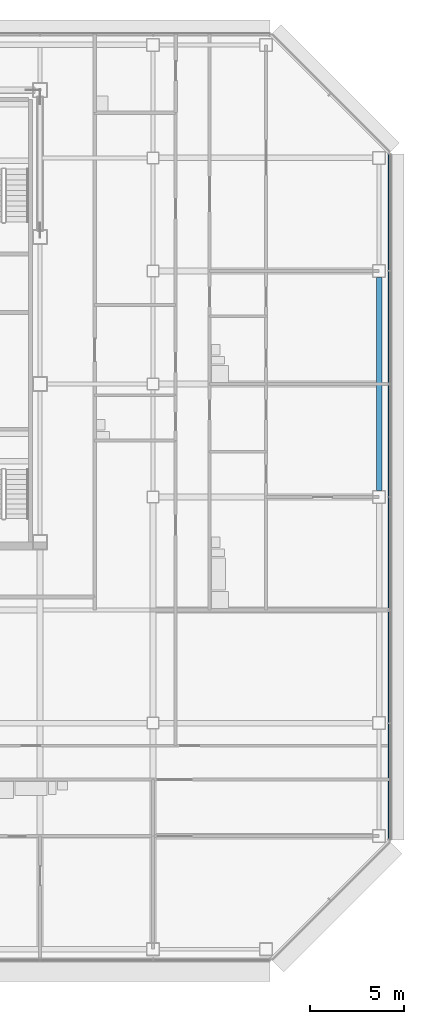
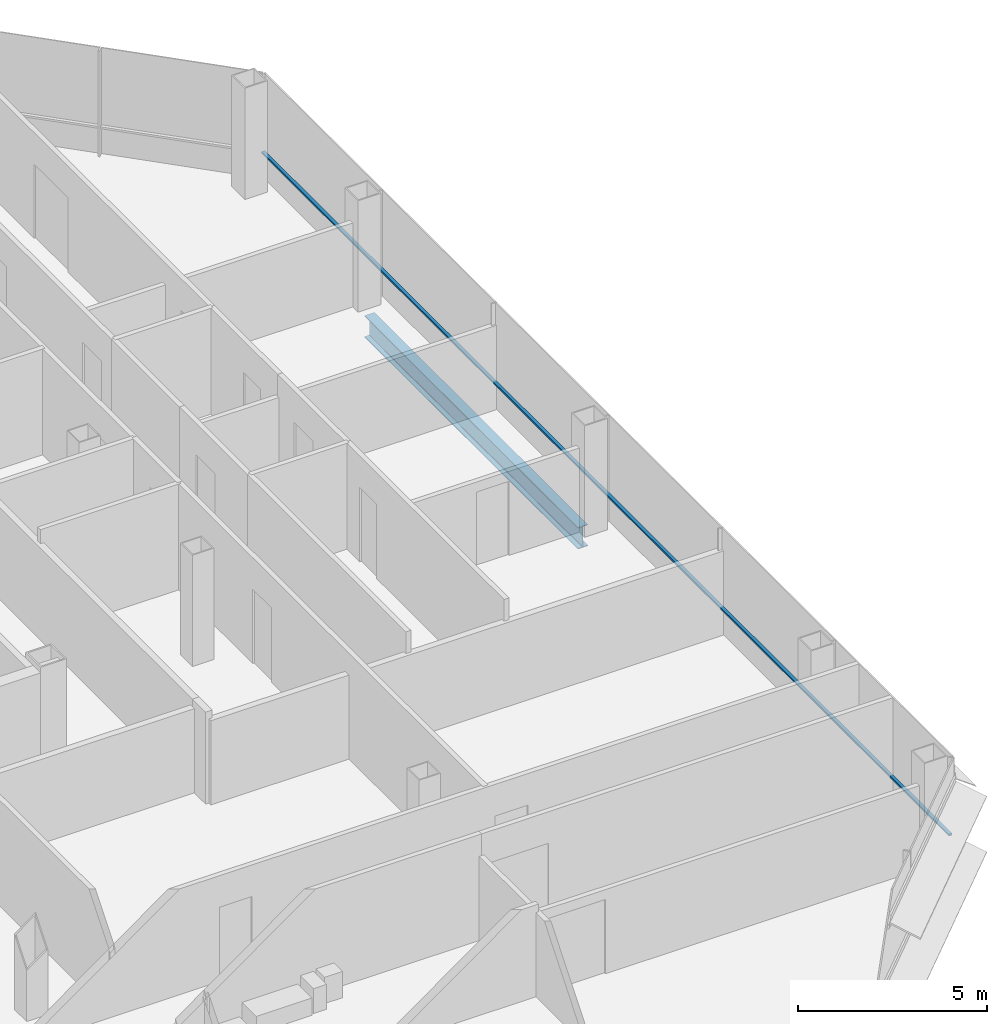
# One storey, part 16 of 26: 1 beam, 1 member, 1 element without a shape of its own.
"""IFC4 building model written with IfcOpenShell, lengths in metres."""

from ifc_helpers import new_model, si_unit, direction, frame, origin, origin_2d, place, context, subcontext, project, spatial, rectangle, i_section, extrude, material, material_profile, profile_set, type_object, element, aggregate, save


model = new_model("IFC4")

# Units and contexts
model_context = context("Model", 3, precision=1e-05, world=origin(), true_north=direction((0.0, 1.0)))
body_context = subcontext(model_context, "Body", "Model", "MODEL_VIEW")
ifc_project = project(units=[si_unit("LENGTHUNIT", "METRE"), si_unit("AREAUNIT", "SQUARE_METRE"), si_unit("VOLUMEUNIT", "CUBIC_METRE"), si_unit("PLANEANGLEUNIT", "RADIAN"), si_unit("MASSUNIT", "GRAM", prefix="KILO")], contexts=[model_context])

# Site, building, storey
site_placement = place(None, origin())
site = spatial("IfcSite", under=ifc_project, at=site_placement, CompositionType="ELEMENT")
building_placement = place(site_placement, origin())
building = spatial("IfcBuilding", under=site, at=building_placement, Name="Sorahane Residences", CompositionType="ELEMENT")
storey_placement = place(building_placement, frame((0.0, 0.0, 154.60009765625)))
storey = spatial("IfcBuildingStorey", under=building, at=storey_placement, Name="L35", CompositionType="ELEMENT", Elevation=154.60009765625)

# Curtain wall, member
ifc_material_1 = material(Name="Dark low-e glass and black anodised aluminium", Category="aluminium")
curtain_wall_type = type_object("IfcCurtainWallType", Name="Curtain wall CW-1 Typical unitised wall", PredefinedType="NOTDEFINED", material=ifc_material_1)
curtain_wall_placement = place(storey_placement, origin())
curtain_wall = element("IfcCurtainWall", 1, at=curtain_wall_placement, inside=storey, type_object=curtain_wall_type, Name="CW-1 curtain wall L35 E1", PredefinedType="NOTDEFINED")
ifc_material_2 = material(Name="Black anodised aluminium", Category="aluminium")
ifc_material_profile_1 = material_profile(ifc_material_2, rectangle(XDim=0.10009765625, YDim=0.06005859375, at=origin_2d()), Name="Curtain wall transom CW-1 black anodised aluminium 60x100")
ifc_profile_set_1 = profile_set([ifc_material_profile_1], Name="Black anodised aluminium")
member_type = type_object("IfcMemberType", Name="Curtain wall transom CW-1 black anodised aluminium 60x100", PredefinedType="USERDEFINED", material=ifc_profile_set_1)
member_placement = place(storey_placement, frame((60.530029296875, 5.801513671875, 0.89990234375), z_axis=(0.0, 1.0, 0.0), x_axis=(-1.0, 0.0, 0.0)))
member = element("IfcMember", 2, at=member_placement, type_object=member_type, Name="CW-1 transom L35 E1", ObjectType="TRANSOM", PredefinedType="USERDEFINED", context=body_context, shape_type="SweptSolid", body=[
    extrude(rectangle(XDim=0.10009765625, YDim=0.06005859375, at=origin_2d()), origin(), (0.0, 0.0, 1.0), 36.39697265625),
])
aggregate(curtain_wall, [member])

# Beam
ifc_material_3 = material(Name="Steel Q355B", Category="steel")
ifc_material_profile_2 = material_profile(ifc_material_3, i_section(OverallWidth=0.300048828125, OverallDepth=0.699951171875, WebThickness=0.012939453125, FlangeThickness=0.02392578125, FilletRadius=0.028076171875, at=origin_2d()), Name="HN 700x300x13x24")
ifc_profile_set_2 = profile_set([ifc_material_profile_2], Name="Steel Q355B")
beam_type = type_object("IfcBeamType", Name="Steel floor beam HN 700x300x13x24 Q355B", PredefinedType="BEAM", material=ifc_profile_set_2)
beam_placement = place(storey_placement, frame((60.0, 24.35009765625, -0.530029296875), z_axis=(0.0, 1.0, 0.0), x_axis=(-1.0, 0.0, 0.0)))
element("IfcBeam", 3, at=beam_placement, inside=storey, type_object=beam_type, Name="Beam L35 066", PredefinedType="BEAM", context=body_context, shape_type="SweptSolid", body=[
    extrude(i_section(OverallWidth=0.300048828125, OverallDepth=0.699951171875, WebThickness=0.012939453125, FlangeThickness=0.02392578125, FilletRadius=0.028076171875, at=origin_2d()), origin(), (0.0, 0.0, 1.0), 11.2998046875),
])

save(model, "model.ifc")
